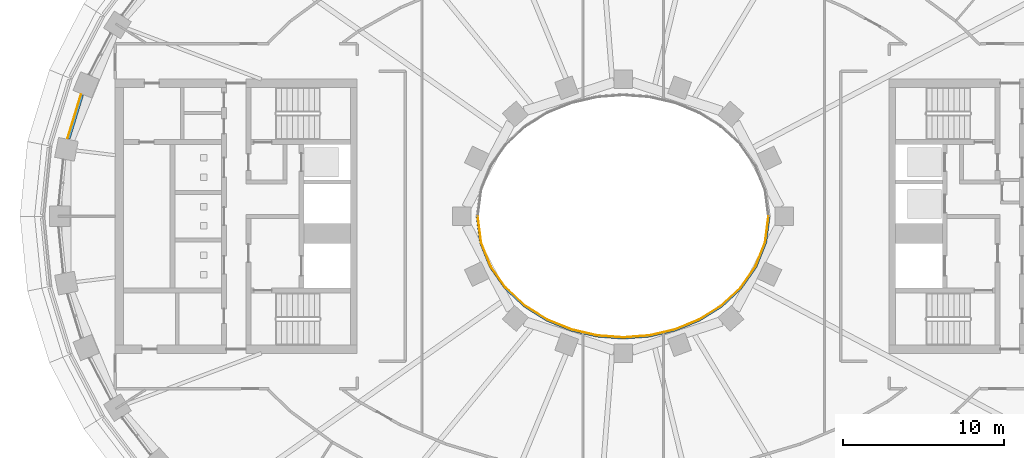
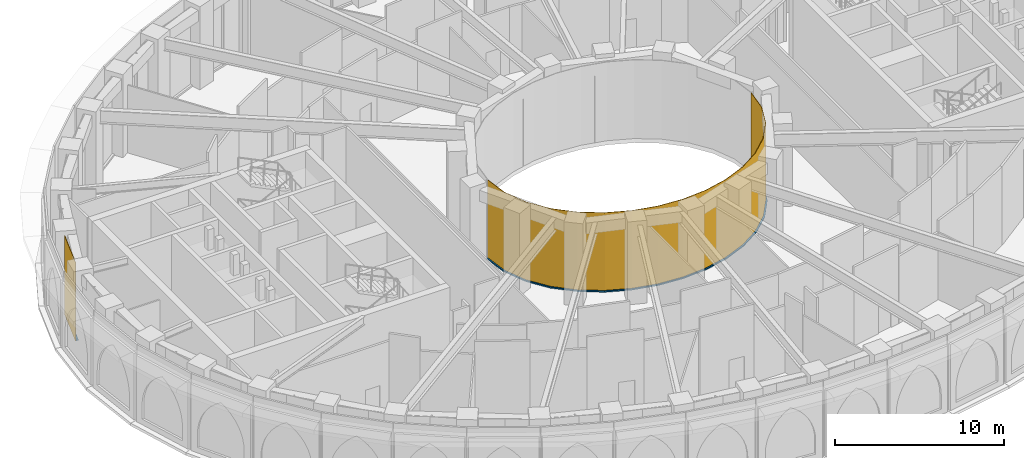
# One storey, part 12 of 23: 2 curtain walls, 2 members.
"""IFC4 building model written with IfcOpenShell, lengths in metres."""

from ifc_helpers import new_model, si_unit, direction, frame, origin, place, context, subcontext, project, spatial, polyline, outline, extrude, material, layer, layer_set, type_object, element, aggregate, save


model = new_model("IFC4")

# Units and contexts
model_context = context("Model", 3, precision=1e-05, world=origin(), true_north=direction((0.0, 1.0)))
body_context = subcontext(model_context, "Body", "Model", "MODEL_VIEW")
ifc_project = project(units=[si_unit("LENGTHUNIT", "METRE"), si_unit("AREAUNIT", "SQUARE_METRE"), si_unit("VOLUMEUNIT", "CUBIC_METRE"), si_unit("PLANEANGLEUNIT", "RADIAN"), si_unit("MASSUNIT", "GRAM", prefix="KILO")], contexts=[model_context])

# Member
ifc_material_1 = material(Name="Aluminium 6063-T6 black anodised", Category="aluminium")
member_type_1 = type_object("IfcMemberType", Name="ENV-TRANSOM-B", PredefinedType="USERDEFINED", material=ifc_material_1)
site_placement = place(None, origin())
building_placement = place(site_placement, origin())
storey_placement = place(building_placement, frame((0.0, 0.0, 140.0)))
member_1_placement = place(storey_placement, origin())
member_1 = element("IfcMember", 1, at=member_1_placement, type_object=member_type_1, Name="Transom B radial 22-23", ObjectType="TRANSOM", PredefinedType="USERDEFINED", context=body_context, shape_type="SweptSolid", body=[
    extrude(outline(polyline([(-33.613525390625, 7.5439453125), (-34.443359375, 4.827392578125), (-34.295654296875, 4.7978515625), (-33.47412109375, 7.48681640625), (-33.613525390625, 7.5439453125)])), origin(), (0.0, 0.0, 1.0), 0.1201171875),
])

ifc_material_2 = material(Name="Steel S355 fire-resisting frame", Category="steel")
member_type_2 = type_object("IfcMemberType", Name="ENV-TRANSOM-W", PredefinedType="USERDEFINED", material=ifc_material_2)
member_2_placement = place(storey_placement, origin())
member_2 = element("IfcMember", 2, at=member_2_placement, type_object=member_type_2, Name="Transom W well 17-01", ObjectType="TRANSOM", PredefinedType="USERDEFINED", context=body_context, shape_type="SweptSolid", body=[
    extrude(outline(polyline([(-9.119384765625, -0.02783203125), (-8.910400390625, -1.63623046875), (-8.29833984375, -3.167236328125), (-7.35107421875, -4.5146484375), (-6.1455078125, -5.6337890625), (-4.75341796875, -6.50634765625), (-3.233642578125, -7.127685546875), (-1.635498046875, -7.498779296875), (0.0, -7.622314453125), (1.635498046875, -7.498779296875), (3.233642578125, -7.127685546875), (4.75341796875, -6.50634765625), (6.1455078125, -5.6337890625), (7.35107421875, -4.5146484375), (8.29833984375, -3.167236328125), (8.910400390625, -1.63623046875), (9.119384765625, -0.02783203125), (9.02880859375, -0.02783203125), (8.822509765625, -1.61328125), (8.21875, -3.124267578125), (7.282958984375, -4.455078125), (6.090576171875, -5.56201171875), (4.712158203125, -6.426025390625), (3.206298828125, -7.04150390625), (1.621826171875, -7.40966796875), (0.0, -7.531982421875), (-1.621826171875, -7.40966796875), (-3.206298828125, -7.04150390625), (-4.712158203125, -6.426025390625), (-6.090576171875, -5.56201171875), (-7.282958984375, -4.455078125), (-8.21875, -3.124267578125), (-8.822509765625, -1.61328125), (-9.02880859375, -0.02783203125), (-9.119384765625, -0.02783203125)])), origin(), (0.0, 0.0, 1.0), 0.080078125),
])

# Site, building, storey
site = spatial("IfcSite", under=ifc_project, at=site_placement, CompositionType="ELEMENT")
building = spatial("IfcBuilding", under=site, at=building_placement, Name="Noorbagh Ring Tower", CompositionType="ELEMENT")
storey = spatial("IfcBuildingStorey", under=building, at=storey_placement, Name="L32", CompositionType="ELEMENT", Elevation=140.0)

# Curtain wall
ifc_material_3 = material(Name="Glass dark tinted laminated", Category="glass")
ifc_layer_1 = layer(ifc_material_3, 0.031982421875)
ifc_layer_set_1 = layer_set([ifc_layer_1], Name="Glass dark tinted laminated")
curtain_wall_type_1 = type_object("IfcCurtainWallType", Name="ENV-CW-B", PredefinedType="NOTDEFINED", material=ifc_layer_set_1)
curtain_wall_1_placement = place(storey_placement, origin())
curtain_wall_1 = element("IfcCurtainWall", 3, at=curtain_wall_1_placement, inside=storey, type_object=curtain_wall_type_1, Name="Curtain wall B R22", PredefinedType="NOTDEFINED", context=body_context, shape_type="SweptSolid", body=[
    extrude(outline(polyline([(-33.643310546875, 7.55615234375), (-34.474853515625, 4.833740234375), (-34.443359375, 4.827392578125), (-33.613525390625, 7.5439453125), (-33.643310546875, 7.55615234375)])), origin(), (0.0, 0.0, 1.0), 5.699951171875),
])

aggregate(curtain_wall_1, [member_1])

ifc_material_4 = material(Name="Glass fire-resisting E60 laminated", Category="glass")
ifc_layer_2 = layer(ifc_material_4, 0.031982421875)
ifc_layer_set_2 = layer_set([ifc_layer_2], Name="Glass fire-resisting E60 laminated")
curtain_wall_type_2 = type_object("IfcCurtainWallType", Name="ENV-CW-W", PredefinedType="NOTDEFINED", material=ifc_layer_set_2)
curtain_wall_2_placement = place(storey_placement, origin())
curtain_wall_2 = element("IfcCurtainWall", 4, at=curtain_wall_2_placement, inside=storey, type_object=curtain_wall_type_2, Name="Curtain wall W W17", PredefinedType="NOTDEFINED", context=body_context, shape_type="SweptSolid", body=[
    extrude(outline(polyline([(-9.0322265625, 0.0), (-8.822509765625, -1.61328125), (-8.21875, -3.124267578125), (-7.282958984375, -4.455078125), (-6.090576171875, -5.56201171875), (-4.712158203125, -6.426025390625), (-3.206298828125, -7.04150390625), (-1.621826171875, -7.40966796875), (0.0, -7.531982421875), (1.621826171875, -7.40966796875), (3.206298828125, -7.04150390625), (4.712158203125, -6.426025390625), (6.090576171875, -5.56201171875), (7.282958984375, -4.455078125), (8.21875, -3.124267578125), (8.822509765625, -1.61328125), (9.0322265625, 0.0), (9.0, 0.0), (8.79150390625, -1.605224609375), (8.1904296875, -3.10888671875), (7.2587890625, -4.43408203125), (6.071044921875, -5.53662109375), (4.697509765625, -6.3974609375), (3.196533203125, -7.010986328125), (1.6171875, -7.3779296875), (0.0, -7.5), (-1.6171875, -7.3779296875), (-3.196533203125, -7.010986328125), (-4.697509765625, -6.3974609375), (-6.071044921875, -5.53662109375), (-7.2587890625, -4.43408203125), (-8.1904296875, -3.10888671875), (-8.79150390625, -1.605224609375), (-9.0, 0.0), (-9.0322265625, 0.0)])), origin(), (0.0, 0.0, 1.0), 5.699951171875),
])

aggregate(curtain_wall_2, [member_2])

save(model, "model.ifc")
